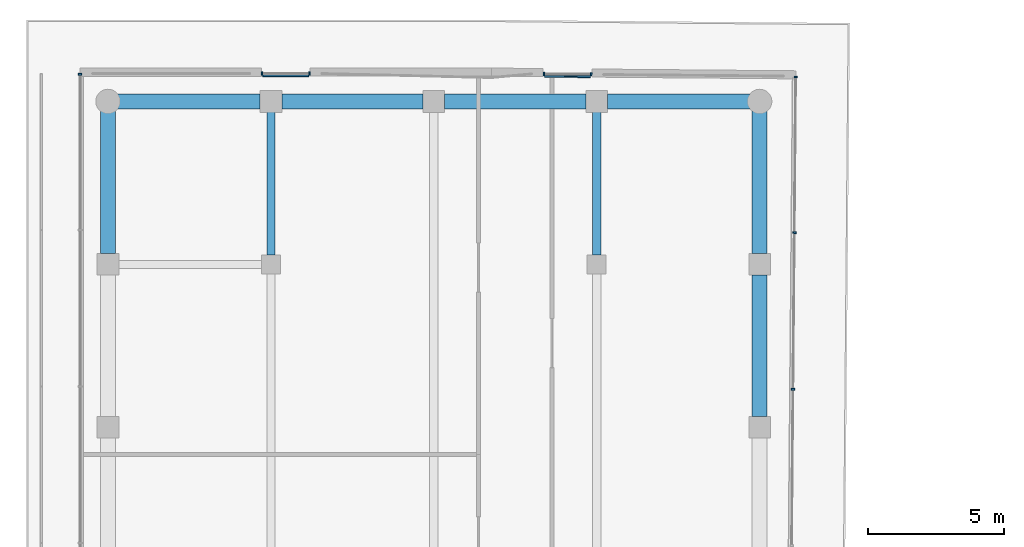
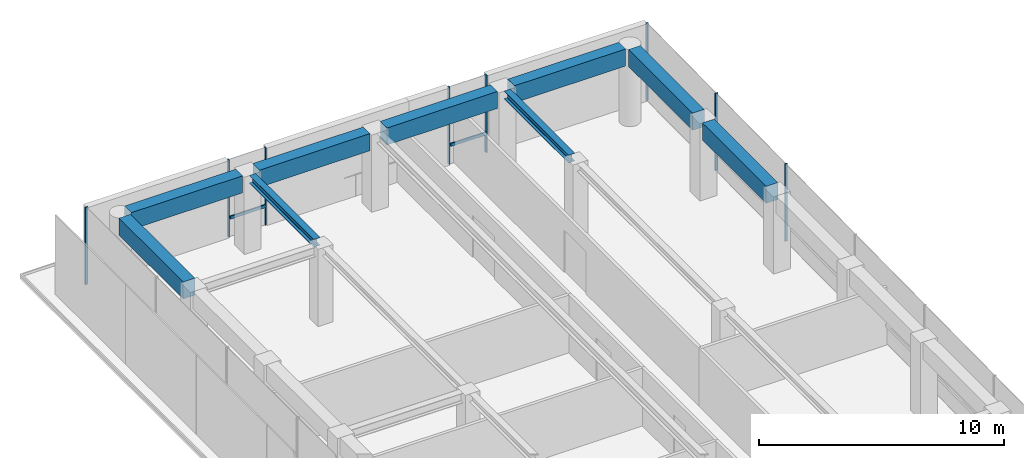
# One storey, part 13 of 19: 10 members, 9 beams, 4 elements without a shape of their own.
"""IFC4 building model written with IfcOpenShell, lengths in metres."""

import ifcopenshell
import ifcopenshell.guid

model = None  # the IFC model being written
_history = None  # IfcOwnerHistory: only IFC2X3 demands one
_inside = {}  # id of a spatial element -> (the spatial element, [elements in it])
_under = {}  # id of a project, library or spatial element -> (it, [spatial elements below it])
_declared = {}  # id of a project -> (the project, [libraries it declares])
_typed = {}  # id of a type object -> (the type object, [elements of that type])
_made_of = {}  # id of a material, layer set ... -> (it, [elements and type objects made of it])


def new_model(schema):
    """Start an empty IFC model of exactly this schema.

    Asked for "IFC4X3", IfcOpenShell would pick the latest addendum, in which some entities
    have other attributes; the version numbers below select the first issue.
    IFC2X3 requires an IfcOwnerHistory on every rooted entity: one is made here for all.
    """
    global model, _history
    if schema == "IFC4X3":
        model = ifcopenshell.file(schema_version=(4, 3, 0, 0))
    else:
        model = ifcopenshell.file(schema=schema)
    _inside.clear()
    _under.clear()
    _declared.clear()
    _typed.clear()
    _made_of.clear()
    _history = None
    if model.schema == "IFC2X3":
        org = make("IfcOrganization", Name="unknown")
        user = make(
            "IfcPersonAndOrganization",
            ThePerson=make("IfcPerson", FamilyName="unknown"),
            TheOrganization=org,
        )
        app = make(
            "IfcApplication",
            ApplicationDeveloper=org,
            Version="unknown",
            ApplicationFullName="unknown",
            ApplicationIdentifier="unknown",
        )
        _history = make(
            "IfcOwnerHistory",
            OwningUser=user,
            OwningApplication=app,
            ChangeAction="ADDED",
            CreationDate=0,
        )
    return model


def make(cls, **values):
    """One entity of the class cls with the attributes given. An attribute that is None is left unset."""
    return model.create_entity(
        cls, **{name: value for name, value in values.items() if value is not None}
    )


def rooted(cls, **values):
    """An entity with a GlobalId (a new one), such as an element, a storey or a relation."""
    return make(cls, GlobalId=ifcopenshell.guid.new(), OwnerHistory=_history, **values)


def si_unit(unit_type, name, prefix=None):
    """IfcSIUnit, for example si_unit("LENGTHUNIT", "METRE", prefix="MILLI")."""
    return make("IfcSIUnit", UnitType=unit_type, Prefix=prefix, Name=name)


def assignment(units):
    """IfcUnitAssignment: the units of a project."""
    return None if units is None else make("IfcUnitAssignment", Units=units)


def point(xyz):
    """IfcCartesianPoint."""
    return None if xyz is None else make("IfcCartesianPoint", Coordinates=xyz)


def direction(xyz):
    """IfcDirection."""
    return None if xyz is None else make("IfcDirection", DirectionRatios=xyz)


def frame(location, z_axis=None, x_axis=None):
    """IfcAxis2Placement3D, a coordinate frame: its origin and axes. An axis left out is left unset."""
    return make(
        "IfcAxis2Placement3D",
        Location=point(location),
        Axis=direction(z_axis),
        RefDirection=direction(x_axis),
    )


def frame_2d(location, x_axis=None):
    """IfcAxis2Placement2D, a coordinate frame in the plane: its origin and x axis."""
    return make(
        "IfcAxis2Placement2D", Location=point(location), RefDirection=direction(x_axis)
    )


def origin():
    """The frame at (0, 0, 0) with its axes left unset."""
    return frame((0.0, 0.0, 0.0))


def origin_2d():
    """The frame at (0, 0) in the plane with its x axis left unset."""
    return frame_2d((0.0, 0.0))


def place(relative_to, where):
    """IfcLocalPlacement: puts the frame where relative to a parent placement (None: the world)."""
    return make(
        "IfcLocalPlacement", PlacementRelTo=relative_to, RelativePlacement=where
    )


def context(
    kind, dimensions, precision=None, world=None, true_north=None, identifier=None
):
    """IfcGeometricRepresentationContext, for example the 3D "Model" context."""
    return make(
        "IfcGeometricRepresentationContext",
        ContextIdentifier=identifier,
        ContextType=kind,
        CoordinateSpaceDimension=dimensions,
        Precision=precision,
        WorldCoordinateSystem=world,
        TrueNorth=true_north,
    )


def subcontext(parent, identifier, kind, view, scale=None):
    """IfcGeometricRepresentationSubContext, for example "Body" below "Model"."""
    return make(
        "IfcGeometricRepresentationSubContext",
        ContextIdentifier=identifier,
        ContextType=kind,
        ParentContext=parent,
        TargetScale=scale,
        TargetView=view,
    )


def project(units=None, contexts=None):
    """IfcProject with its units and contexts."""
    return rooted(
        "IfcProject",
        Name="project",
        RepresentationContexts=contexts,
        UnitsInContext=assignment(units),
    )


def spatial(cls, under=None, at=None, **own):
    """A site, building, storey or space (cls), placed at a placement, below another one or the project."""
    s = rooted(cls, ObjectPlacement=at, **own)
    if under is not None:
        _under.setdefault(under.id(), (under, []))[1].append(s)
    return s


def profile(cls, at=None, kind="AREA", **sizes):
    """A parametric profile (cls). Its sizes go by their IFC names, for example OverallWidth=200.0."""
    return make(cls, ProfileType=kind, Position=at, **sizes)


def rectangle(**sizes):
    """IfcRectangleProfileDef."""
    return profile("IfcRectangleProfileDef", **sizes)


def i_section(**sizes):
    """IfcIShapeProfileDef."""
    return profile("IfcIShapeProfileDef", **sizes)


def extrude(swept, where, along, depth):
    """IfcExtrudedAreaSolid: the profile swept, set in the frame where, extruded along a direction by depth."""
    return make(
        "IfcExtrudedAreaSolid",
        SweptArea=swept,
        Position=where,
        ExtrudedDirection=direction(along),
        Depth=depth,
    )


def shape(context_of_items, identifier, shape_type, items):
    """IfcShapeRepresentation: the items that make up one representation, for example the "Body"."""
    return make(
        "IfcShapeRepresentation",
        ContextOfItems=context_of_items,
        RepresentationIdentifier=identifier,
        RepresentationType=shape_type,
        Items=items,
    )


def material(Name=None, Category=None):
    """IfcMaterial."""
    return make("IfcMaterial", Name=Name, Category=Category)


def layer(
    of_material, thickness, ventilated=None, Name=None, Category=None, Priority=None
):
    """IfcMaterialLayer: one layer of a wall or slab, of a material (None: an air gap)."""
    return make(
        "IfcMaterialLayer",
        Material=of_material,
        LayerThickness=thickness,
        IsVentilated=ventilated,
        Name=Name,
        Category=Category,
        Priority=Priority,
    )


def layer_set(layers, Name=None):
    """IfcMaterialLayerSet."""
    return make("IfcMaterialLayerSet", MaterialLayers=layers, LayerSetName=Name)


def material_profile(
    of_material, cross_section, Name=None, Category=None, Priority=None
):
    """IfcMaterialProfile: a cross section and its material."""
    return make(
        "IfcMaterialProfile",
        Name=Name,
        Material=of_material,
        Profile=cross_section,
        Priority=Priority,
        Category=Category,
    )


def profile_set(profiles, Name=None, composite=None):
    """IfcMaterialProfileSet."""
    return make(
        "IfcMaterialProfileSet",
        Name=Name,
        MaterialProfiles=profiles,
        CompositeProfile=composite,
    )


def made_of(thing, what):
    """Note that an element or type object is made of a material, layer set ...; save() writes the relation."""
    if what is not None:
        _made_of.setdefault(what.id(), (what, []))[1].append(thing)
    return thing


def type_object(cls, material=None, **own):
    """A type object (cls), such as IfcWallType, which elements share."""
    return made_of(rooted(cls, **own), material)


def element(
    cls,
    number,
    at=None,
    inside=None,
    cuts=None,
    type_object=None,
    material=None,
    context=None,
    identifier="Body",
    shape_type=None,
    held_by="IfcProductDefinitionShape",
    body=None,
    shapes=None,
    **own,
):
    """One element of the class cls, such as IfcWall. Its Tag is "e" and its number.

    at: its placement. inside: the storey or other place that contains it. cuts: it is an
    opening in that element (IfcRelVoidsElement). A single representation is given by context,
    identifier, shape_type and body (its items); several are given by shapes. held_by: the class
    of the entity that holds the representations. save() writes the other relations.
    """
    e = rooted(cls, Tag="e%d" % number, ObjectPlacement=at, **own)
    if body is not None:
        shapes = [shape(context, identifier, shape_type, body)]
    if shapes is not None:
        e.Representation = make(held_by, Representations=shapes)
    if inside is not None:
        _inside.setdefault(inside.id(), (inside, []))[1].append(e)
    if cuts is not None:
        rooted(
            "IfcRelVoidsElement", RelatingBuildingElement=cuts, RelatedOpeningElement=e
        )
    if type_object is not None:
        _typed.setdefault(type_object.id(), (type_object, []))[1].append(e)
    return made_of(e, material)


def aggregate(whole, parts):
    """IfcRelAggregates: a whole, such as a stair, and the parts it consists of."""
    return rooted("IfcRelAggregates", RelatingObject=whole, RelatedObjects=parts)


def save(model, path):
    """Write the relations noted so far, then the file.

    IfcRelAggregates (storeys below a building ...), IfcRelContainedInSpatialStructure (elements
    in a storey), IfcRelDefinesByType, IfcRelAssociatesMaterial and IfcRelDeclares: one each for
    every whole, place, type object, material and project.
    """
    for whole, parts in _under.values():
        aggregate(whole, parts)
    for where, things in _inside.values():
        rooted(
            "IfcRelContainedInSpatialStructure",
            RelatedElements=things,
            RelatingStructure=where,
        )
    for kind, things in _typed.values():
        rooted("IfcRelDefinesByType", RelatedObjects=things, RelatingType=kind)
    for what, things in _made_of.values():
        rooted("IfcRelAssociatesMaterial", RelatedObjects=things, RelatingMaterial=what)
    for by, libraries in _declared.values():
        rooted("IfcRelDeclares", RelatingContext=by, RelatedDefinitions=libraries)
    model.write(path)


model = new_model("IFC4")

# Units and contexts
model_context = context("Model", 3, precision=1e-05, world=origin(), true_north=direction((0.0, 1.0)))
body_context = subcontext(model_context, "Body", "Model", "MODEL_VIEW")
ifc_project = project(units=[si_unit("LENGTHUNIT", "METRE"), si_unit("AREAUNIT", "SQUARE_METRE"), si_unit("VOLUMEUNIT", "CUBIC_METRE"), si_unit("PLANEANGLEUNIT", "RADIAN"), si_unit("MASSUNIT", "GRAM", prefix="KILO")], contexts=[model_context])

# Site, building, storey
site_placement = place(None, origin())
site = spatial("IfcSite", under=ifc_project, at=site_placement, CompositionType="ELEMENT")
building_placement = place(site_placement, origin())
building = spatial("IfcBuilding", under=site, at=building_placement, Name="Welwitschia Terrace Campus", CompositionType="ELEMENT")
storey_placement = place(building_placement, frame((0.0, 0.0, 230.60009765625)))
storey = spatial("IfcBuildingStorey", under=building, at=storey_placement, Name="L51", CompositionType="ELEMENT", Elevation=230.60009765625)

# Beams
ifc_material_1 = material(Name="Steel S355", Category="steel")
ifc_material_profile_1 = material_profile(ifc_material_1, i_section(OverallWidth=0.300048828125, OverallDepth=0.389892578125, WebThickness=0.010986328125, FlangeThickness=0.01904296875, FilletRadius=0.027099609375, at=origin_2d()))
ifc_profile_set_1 = profile_set([ifc_material_profile_1], Name="Steel S355")
beam_type_1 = type_object("IfcBeamType", Name="Interior girder HE 400 A", PredefinedType="BEAM", material=ifc_profile_set_1)
for number, where, z_axis, x_axis, name in (
    (1, (6.0, 64.3505859375, 3.65478515625), (0.0, 1.0, 0.0), (-1.0, 0.0, 0.0), "Girder GB5"),
    (2, (18.0, 64.3505859375, 3.65478515625), (0.0, 1.0, 0.0), (-1.0, 0.0, 0.0), "Girder GB5"),
):
    element("IfcBeam", number, at=place(storey_placement, frame(where, z_axis=z_axis, x_axis=x_axis)), inside=storey, type_object=beam_type_1, Name=name, PredefinedType="BEAM", context=body_context, shape_type="SweptSolid", body=[
        extrude(i_section(OverallWidth=0.300048828125, OverallDepth=0.389892578125, WebThickness=0.010986328125, FlangeThickness=0.01904296875, FilletRadius=0.027099609375, at=origin_2d()), origin(), (0.0, 0.0, 1.0), 5.259033203125),
    ])

# Curtain wall, members
ifc_material_2 = material(Name="Bronze anodised aluminium", Category="aluminium")
ifc_layer = layer(ifc_material_2, 0.1201171875)
ifc_layer_set = layer_set([ifc_layer], Name="Bronze anodised aluminium")
curtain_wall_type = type_object("IfcCurtainWallType", Name="Curtain wall CW2 tower 6000", PredefinedType="NOTDEFINED", material=ifc_layer_set)
curtain_wall_1_placement = place(storey_placement, origin())
curtain_wall_1 = element("IfcCurtainWall", 3, at=curtain_wall_1_placement, inside=storey, type_object=curtain_wall_type, Name="CW L51.0.S0", PredefinedType="NOTDEFINED")
ifc_material_3 = material(Name="Bronze anodised aluminium", Category="aluminium")
ifc_material_profile_2 = material_profile(ifc_material_3, rectangle(XDim=0.1201171875, YDim=0.06005859375, at=origin_2d()))
ifc_profile_set_2 = profile_set([ifc_material_profile_2], Name="Bronze anodised aluminium")
member_type_1 = type_object("IfcMemberType", Name="Mullion 60x120", PredefinedType="MULLION", material=ifc_profile_set_2)
member_1_placement = place(storey_placement, frame((7.4169921875, 71.030029296875, 0.0), z_axis=(0.0, 0.0, 1.0), x_axis=(0.0, -1.0, 0.0)))
member_1 = element("IfcMember", 4, at=member_1_placement, type_object=member_type_1, Name="Mullion L51.0.S0.0", PredefinedType="MULLION", context=body_context, shape_type="SweptSolid", body=[
    extrude(rectangle(XDim=0.1201171875, YDim=0.06005859375, at=origin_2d()), origin(), (0.0, 0.0, 1.0), 3.849853515625),
])
member_2_placement = place(storey_placement, frame((5.677001953125, 71.030029296875, 0.0), z_axis=(0.0, 0.0, 1.0), x_axis=(0.0, -1.0, 0.0)))
member_2 = element("IfcMember", 5, at=member_2_placement, type_object=member_type_1, Name="Mullion L51.0.S0.1", PredefinedType="MULLION", context=body_context, shape_type="SweptSolid", body=[
    extrude(rectangle(XDim=0.1201171875, YDim=0.06005859375, at=origin_2d()), origin(), (0.0, 0.0, 1.0), 3.849853515625),
])

# Curtain wall, member
curtain_wall_2_placement = place(storey_placement, origin())
curtain_wall_2 = element("IfcCurtainWall", 6, at=curtain_wall_2_placement, inside=storey, type_object=curtain_wall_type, Name="CW L51.1.0", PredefinedType="NOTDEFINED")
member_3_placement = place(storey_placement, frame((-1.030029296875, 71.0, 0.0), z_axis=(0.0, 0.0, 1.0), x_axis=(1.0, 0.0, 0.0)))
member_3 = element("IfcMember", 7, at=member_3_placement, type_object=member_type_1, Name="Mullion L51.1.0.0", PredefinedType="MULLION", context=body_context, shape_type="SweptSolid", body=[
    extrude(rectangle(XDim=0.1201171875, YDim=0.06005859375, at=origin_2d()), origin(), (0.0, 0.0, 1.0), 3.849853515625),
])
aggregate(curtain_wall_2, [member_3])

# Curtain wall, members
curtain_wall_3_placement = place(storey_placement, origin())
curtain_wall_3 = element("IfcCurtainWall", 8, at=curtain_wall_3_placement, inside=storey, type_object=curtain_wall_type, Name="CW L51.10.0", PredefinedType="NOTDEFINED")
member_4_placement = place(storey_placement, frame((25.231201171875, 59.4013671875, 0.0), z_axis=(0.0, 0.0, 1.0), x_axis=(-0.999961923064, 0.008726535498, 0.0)))
member_4 = element("IfcMember", 9, at=member_4_placement, type_object=member_type_1, Name="Mullion L51.10.0.4", PredefinedType="MULLION", context=body_context, shape_type="SweptSolid", body=[
    extrude(rectangle(XDim=0.1201171875, YDim=0.06005859375, at=origin_2d()), origin(), (0.0, 0.0, 1.0), 3.849853515625),
])
member_5_placement = place(storey_placement, frame((25.281494140625, 65.166748046875, 0.0), z_axis=(0.0, 0.0, 1.0), x_axis=(-0.999961923064, 0.008726535498, 0.0)))
member_5 = element("IfcMember", 10, at=member_5_placement, type_object=member_type_1, Name="Mullion L51.10.0.5", PredefinedType="MULLION", context=body_context, shape_type="SweptSolid", body=[
    extrude(rectangle(XDim=0.1201171875, YDim=0.06005859375, at=origin_2d()), origin(), (0.0, 0.0, 1.0), 3.849853515625),
])
member_6_placement = place(storey_placement, frame((25.33154296875, 70.902099609375, 0.0), z_axis=(0.0, 0.0, 1.0), x_axis=(-0.999961923064, 0.008726535498, 0.0)))
member_6 = element("IfcMember", 11, at=member_6_placement, type_object=member_type_1, Name="Mullion L51.10.0.6", PredefinedType="MULLION", context=body_context, shape_type="SweptSolid", body=[
    extrude(rectangle(XDim=0.1201171875, YDim=0.06005859375, at=origin_2d()), origin(), (0.0, 0.0, 1.0), 3.849853515625),
])
aggregate(curtain_wall_3, [member_4, member_5, member_6])

curtain_wall_4_placement = place(storey_placement, origin())
curtain_wall_4 = element("IfcCurtainWall", 12, at=curtain_wall_4_placement, inside=storey, type_object=curtain_wall_type, Name="CW L51.11.S0", PredefinedType="NOTDEFINED")
member_7_placement = place(storey_placement, frame((17.796142578125, 70.998046875, 0.0), z_axis=(0.0, 0.0, 1.0), x_axis=(-0.008726535498, -0.999961923064, 0.0)))
member_7 = element("IfcMember", 13, at=member_7_placement, type_object=member_type_1, Name="Mullion L51.11.S0.0", PredefinedType="MULLION", context=body_context, shape_type="SweptSolid", body=[
    extrude(rectangle(XDim=0.1201171875, YDim=0.06005859375, at=origin_2d()), origin(), (0.0, 0.0, 1.0), 3.849853515625),
])
member_8_placement = place(storey_placement, frame((16.05615234375, 71.01318359375, 0.0), z_axis=(0.0, 0.0, 1.0), x_axis=(-0.008726535498, -0.999961923064, 0.0)))
member_8 = element("IfcMember", 14, at=member_8_placement, type_object=member_type_1, Name="Mullion L51.11.S0.1", PredefinedType="MULLION", context=body_context, shape_type="SweptSolid", body=[
    extrude(rectangle(XDim=0.1201171875, YDim=0.06005859375, at=origin_2d()), origin(), (0.0, 0.0, 1.0), 3.849853515625),
])

# Beams
ifc_material_4 = material(Name="Concrete C50/60", Category="concrete")
ifc_material_profile_3 = material_profile(ifc_material_4, rectangle(XDim=0.550048828125, YDim=0.85009765625, at=origin_2d()))
ifc_profile_set_3 = profile_set([ifc_material_profile_3], Name="Concrete C50/60")
beam_type_2 = type_object("IfcBeamType", Name="Ring spandrel 550x850", PredefinedType="SPANDREL", material=ifc_profile_set_3)
beam_placement = place(storey_placement, frame((24.0, 58.400390625, 3.4248046875), z_axis=(0.0, 1.0, 0.0), x_axis=(-1.0, 0.0, 0.0)))
element("IfcBeam", 15, at=beam_placement, inside=storey, type_object=beam_type_2, Name="Spandrel SP3", PredefinedType="SPANDREL", context=body_context, shape_type="SweptSolid", body=[
    extrude(rectangle(XDim=0.550048828125, YDim=0.85009765625, at=origin_2d()), origin(), (0.0, 0.0, 1.0), 5.19921875),
])
for number, where, z_axis, x_axis, name in (
    (16, (24.0, 64.400390625, 3.4248046875), (0.0, 1.0, 0.0), (-1.0, 0.0, 0.0), "Spandrel SP3"),
    (17, (23.64306640625, 70.0, 3.4248046875), (-1.0, 0.0, 0.0), (0.0, -1.0, 0.0), "Spandrel SP3"),
):
    element("IfcBeam", number, at=place(storey_placement, frame(where, z_axis=z_axis, x_axis=x_axis)), inside=storey, type_object=beam_type_2, Name=name, PredefinedType="SPANDREL", context=body_context, shape_type="SweptSolid", body=[
        extrude(rectangle(XDim=0.550048828125, YDim=0.85009765625, at=origin_2d()), origin(), (0.0, 0.0, 1.0), 5.24267578125),
    ])
for number, where, z_axis, x_axis, name in (
    (18, (17.599609375, 70.0, 3.4248046875), (-1.0, 0.0, 0.0), (0.0, -1.0, 0.0), "Spandrel SP3"),
    (19, (11.599609375, 70.0, 3.4248046875), (-1.0, 0.0, 0.0), (0.0, -1.0, 0.0), "Spandrel SP3"),
):
    element("IfcBeam", number, at=place(storey_placement, frame(where, z_axis=z_axis, x_axis=x_axis)), inside=storey, type_object=beam_type_2, Name=name, PredefinedType="SPANDREL", context=body_context, shape_type="SweptSolid", body=[
        extrude(rectangle(XDim=0.550048828125, YDim=0.85009765625, at=origin_2d()), origin(), (0.0, 0.0, 1.0), 5.19921875),
    ])
for number, where, z_axis, x_axis, name in (
    (20, (5.599609375, 70.0, 3.4248046875), (-1.0, 0.0, 0.0), (0.0, -1.0, 0.0), "Spandrel SP3"),
    (21, (0.0, 69.64306640625, 3.4248046875), (0.0, -1.0, 0.0), (1.0, 0.0, 0.0), "Spandrel SP3"),
):
    element("IfcBeam", number, at=place(storey_placement, frame(where, z_axis=z_axis, x_axis=x_axis)), inside=storey, type_object=beam_type_2, Name=name, PredefinedType="SPANDREL", context=body_context, shape_type="SweptSolid", body=[
        extrude(rectangle(XDim=0.550048828125, YDim=0.85009765625, at=origin_2d()), origin(), (0.0, 0.0, 1.0), 5.24267578125),
    ])

# Member
ifc_material_5 = material(Name="Bronze anodised aluminium", Category="aluminium")
ifc_material_profile_4 = material_profile(ifc_material_5, rectangle(XDim=0.06005859375, YDim=0.14990234375, at=origin_2d()))
ifc_profile_set_4 = profile_set([ifc_material_profile_4], Name="Bronze anodised aluminium")
member_type_2 = type_object("IfcMemberType", Name="Transom 60x150", PredefinedType="USERDEFINED", material=ifc_profile_set_4)
member_9_placement = place(storey_placement, frame((7.386962890625, 70.93994140625, 1.0), z_axis=(-1.0, 0.0, 0.0), x_axis=(0.0, -1.0, 0.0)))
member_9 = element("IfcMember", 22, at=member_9_placement, type_object=member_type_2, Name="Transom L51.0.S0", ObjectType="TRANSOM", PredefinedType="USERDEFINED", context=body_context, shape_type="SweptSolid", body=[
    extrude(rectangle(XDim=0.06005859375, YDim=0.14990234375, at=origin_2d()), origin(), (0.0, 0.0, 1.0), 1.679931640625),
])

aggregate(curtain_wall_1, [member_1, member_2, member_9])

member_10_placement = place(storey_placement, frame((17.765380859375, 70.908203125, 1.0), z_axis=(-0.999961985908, 0.00871933137, 0.0), x_axis=(-0.00871933137, -0.999961985908, 0.0)))
member_10 = element("IfcMember", 23, at=member_10_placement, type_object=member_type_2, Name="Transom L51.11.S0", ObjectType="TRANSOM", PredefinedType="USERDEFINED", context=body_context, shape_type="SweptSolid", body=[
    extrude(rectangle(XDim=0.06005859375, YDim=0.14990234375, at=origin_2d()), origin(), (0.0, 0.0, 1.0), 1.679931640625),
])

aggregate(curtain_wall_4, [member_7, member_8, member_10])

save(model, "model.ifc")
